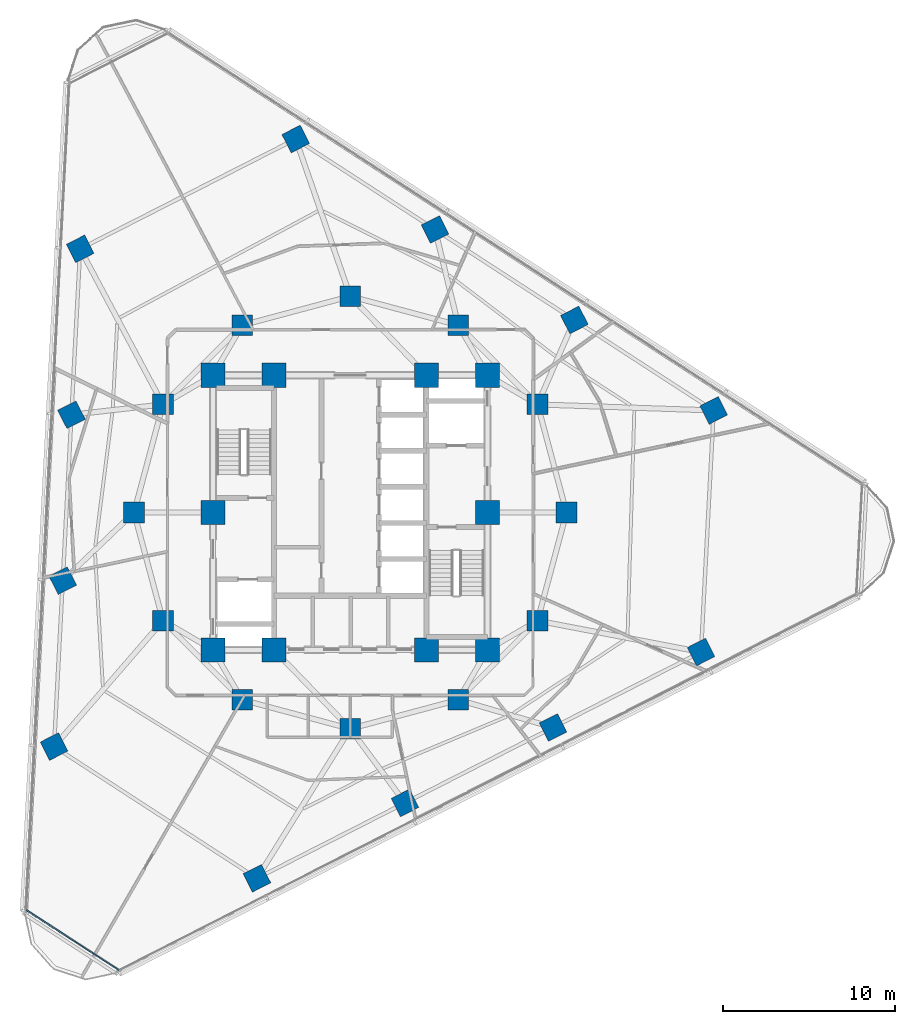
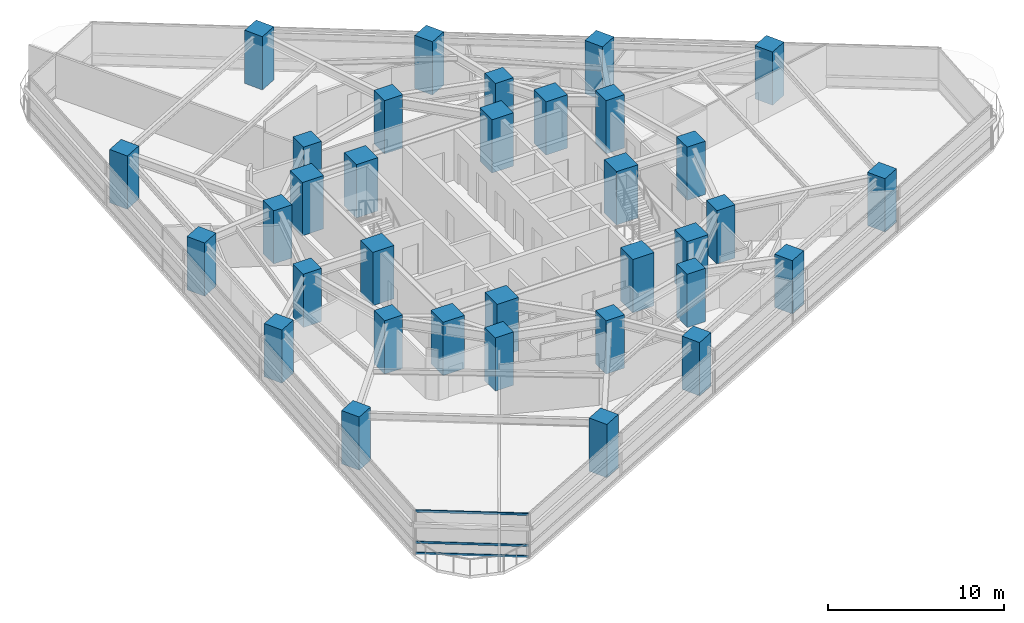
# One storey, part 1 of 14: 34 columns, 3 members, 1 element without a shape of its own.
"""IFC4 building model written with IfcOpenShell, lengths in metres."""

import ifcopenshell
import ifcopenshell.guid

model = None  # the IFC model being written
_history = None  # IfcOwnerHistory: only IFC2X3 demands one
_inside = {}  # id of a spatial element -> (the spatial element, [elements in it])
_under = {}  # id of a project, library or spatial element -> (it, [spatial elements below it])
_declared = {}  # id of a project -> (the project, [libraries it declares])
_typed = {}  # id of a type object -> (the type object, [elements of that type])
_made_of = {}  # id of a material, layer set ... -> (it, [elements and type objects made of it])


def new_model(schema):
    """Start an empty IFC model of exactly this schema.

    Asked for "IFC4X3", IfcOpenShell would pick the latest addendum, in which some entities
    have other attributes; the version numbers below select the first issue.
    IFC2X3 requires an IfcOwnerHistory on every rooted entity: one is made here for all.
    """
    global model, _history
    if schema == "IFC4X3":
        model = ifcopenshell.file(schema_version=(4, 3, 0, 0))
    else:
        model = ifcopenshell.file(schema=schema)
    _inside.clear()
    _under.clear()
    _declared.clear()
    _typed.clear()
    _made_of.clear()
    _history = None
    if model.schema == "IFC2X3":
        org = make("IfcOrganization", Name="unknown")
        user = make(
            "IfcPersonAndOrganization",
            ThePerson=make("IfcPerson", FamilyName="unknown"),
            TheOrganization=org,
        )
        app = make(
            "IfcApplication",
            ApplicationDeveloper=org,
            Version="unknown",
            ApplicationFullName="unknown",
            ApplicationIdentifier="unknown",
        )
        _history = make(
            "IfcOwnerHistory",
            OwningUser=user,
            OwningApplication=app,
            ChangeAction="ADDED",
            CreationDate=0,
        )
    return model


def make(cls, **values):
    """One entity of the class cls with the attributes given. An attribute that is None is left unset."""
    return model.create_entity(
        cls, **{name: value for name, value in values.items() if value is not None}
    )


def rooted(cls, **values):
    """An entity with a GlobalId (a new one), such as an element, a storey or a relation."""
    return make(cls, GlobalId=ifcopenshell.guid.new(), OwnerHistory=_history, **values)


def si_unit(unit_type, name, prefix=None):
    """IfcSIUnit, for example si_unit("LENGTHUNIT", "METRE", prefix="MILLI")."""
    return make("IfcSIUnit", UnitType=unit_type, Prefix=prefix, Name=name)


def assignment(units):
    """IfcUnitAssignment: the units of a project."""
    return None if units is None else make("IfcUnitAssignment", Units=units)


def point(xyz):
    """IfcCartesianPoint."""
    return None if xyz is None else make("IfcCartesianPoint", Coordinates=xyz)


def direction(xyz):
    """IfcDirection."""
    return None if xyz is None else make("IfcDirection", DirectionRatios=xyz)


def frame(location, z_axis=None, x_axis=None):
    """IfcAxis2Placement3D, a coordinate frame: its origin and axes. An axis left out is left unset."""
    return make(
        "IfcAxis2Placement3D",
        Location=point(location),
        Axis=direction(z_axis),
        RefDirection=direction(x_axis),
    )


def frame_2d(location, x_axis=None):
    """IfcAxis2Placement2D, a coordinate frame in the plane: its origin and x axis."""
    return make(
        "IfcAxis2Placement2D", Location=point(location), RefDirection=direction(x_axis)
    )


def origin():
    """The frame at (0, 0, 0) with its axes left unset."""
    return frame((0.0, 0.0, 0.0))


def origin_2d():
    """The frame at (0, 0) in the plane with its x axis left unset."""
    return frame_2d((0.0, 0.0))


def place(relative_to, where):
    """IfcLocalPlacement: puts the frame where relative to a parent placement (None: the world)."""
    return make(
        "IfcLocalPlacement", PlacementRelTo=relative_to, RelativePlacement=where
    )


def context(
    kind, dimensions, precision=None, world=None, true_north=None, identifier=None
):
    """IfcGeometricRepresentationContext, for example the 3D "Model" context."""
    return make(
        "IfcGeometricRepresentationContext",
        ContextIdentifier=identifier,
        ContextType=kind,
        CoordinateSpaceDimension=dimensions,
        Precision=precision,
        WorldCoordinateSystem=world,
        TrueNorth=true_north,
    )


def subcontext(parent, identifier, kind, view, scale=None):
    """IfcGeometricRepresentationSubContext, for example "Body" below "Model"."""
    return make(
        "IfcGeometricRepresentationSubContext",
        ContextIdentifier=identifier,
        ContextType=kind,
        ParentContext=parent,
        TargetScale=scale,
        TargetView=view,
    )


def project(units=None, contexts=None):
    """IfcProject with its units and contexts."""
    return rooted(
        "IfcProject",
        Name="project",
        RepresentationContexts=contexts,
        UnitsInContext=assignment(units),
    )


def spatial(cls, under=None, at=None, **own):
    """A site, building, storey or space (cls), placed at a placement, below another one or the project."""
    s = rooted(cls, ObjectPlacement=at, **own)
    if under is not None:
        _under.setdefault(under.id(), (under, []))[1].append(s)
    return s


def profile(cls, at=None, kind="AREA", **sizes):
    """A parametric profile (cls). Its sizes go by their IFC names, for example OverallWidth=200.0."""
    return make(cls, ProfileType=kind, Position=at, **sizes)


def rectangle(**sizes):
    """IfcRectangleProfileDef."""
    return profile("IfcRectangleProfileDef", **sizes)


def extrude(swept, where, along, depth):
    """IfcExtrudedAreaSolid: the profile swept, set in the frame where, extruded along a direction by depth."""
    return make(
        "IfcExtrudedAreaSolid",
        SweptArea=swept,
        Position=where,
        ExtrudedDirection=direction(along),
        Depth=depth,
    )


def shape(context_of_items, identifier, shape_type, items):
    """IfcShapeRepresentation: the items that make up one representation, for example the "Body"."""
    return make(
        "IfcShapeRepresentation",
        ContextOfItems=context_of_items,
        RepresentationIdentifier=identifier,
        RepresentationType=shape_type,
        Items=items,
    )


def material(Name=None, Category=None):
    """IfcMaterial."""
    return make("IfcMaterial", Name=Name, Category=Category)


def layer(
    of_material, thickness, ventilated=None, Name=None, Category=None, Priority=None
):
    """IfcMaterialLayer: one layer of a wall or slab, of a material (None: an air gap)."""
    return make(
        "IfcMaterialLayer",
        Material=of_material,
        LayerThickness=thickness,
        IsVentilated=ventilated,
        Name=Name,
        Category=Category,
        Priority=Priority,
    )


def layer_set(layers, Name=None):
    """IfcMaterialLayerSet."""
    return make("IfcMaterialLayerSet", MaterialLayers=layers, LayerSetName=Name)


def material_profile(
    of_material, cross_section, Name=None, Category=None, Priority=None
):
    """IfcMaterialProfile: a cross section and its material."""
    return make(
        "IfcMaterialProfile",
        Name=Name,
        Material=of_material,
        Profile=cross_section,
        Priority=Priority,
        Category=Category,
    )


def profile_set(profiles, Name=None, composite=None):
    """IfcMaterialProfileSet."""
    return make(
        "IfcMaterialProfileSet",
        Name=Name,
        MaterialProfiles=profiles,
        CompositeProfile=composite,
    )


def made_of(thing, what):
    """Note that an element or type object is made of a material, layer set ...; save() writes the relation."""
    if what is not None:
        _made_of.setdefault(what.id(), (what, []))[1].append(thing)
    return thing


def type_object(cls, material=None, **own):
    """A type object (cls), such as IfcWallType, which elements share."""
    return made_of(rooted(cls, **own), material)


def element(
    cls,
    number,
    at=None,
    inside=None,
    cuts=None,
    type_object=None,
    material=None,
    context=None,
    identifier="Body",
    shape_type=None,
    held_by="IfcProductDefinitionShape",
    body=None,
    shapes=None,
    **own,
):
    """One element of the class cls, such as IfcWall. Its Tag is "e" and its number.

    at: its placement. inside: the storey or other place that contains it. cuts: it is an
    opening in that element (IfcRelVoidsElement). A single representation is given by context,
    identifier, shape_type and body (its items); several are given by shapes. held_by: the class
    of the entity that holds the representations. save() writes the other relations.
    """
    e = rooted(cls, Tag="e%d" % number, ObjectPlacement=at, **own)
    if body is not None:
        shapes = [shape(context, identifier, shape_type, body)]
    if shapes is not None:
        e.Representation = make(held_by, Representations=shapes)
    if inside is not None:
        _inside.setdefault(inside.id(), (inside, []))[1].append(e)
    if cuts is not None:
        rooted(
            "IfcRelVoidsElement", RelatingBuildingElement=cuts, RelatedOpeningElement=e
        )
    if type_object is not None:
        _typed.setdefault(type_object.id(), (type_object, []))[1].append(e)
    return made_of(e, material)


def aggregate(whole, parts):
    """IfcRelAggregates: a whole, such as a stair, and the parts it consists of."""
    return rooted("IfcRelAggregates", RelatingObject=whole, RelatedObjects=parts)


def save(model, path):
    """Write the relations noted so far, then the file.

    IfcRelAggregates (storeys below a building ...), IfcRelContainedInSpatialStructure (elements
    in a storey), IfcRelDefinesByType, IfcRelAssociatesMaterial and IfcRelDeclares: one each for
    every whole, place, type object, material and project.
    """
    for whole, parts in _under.values():
        aggregate(whole, parts)
    for where, things in _inside.values():
        rooted(
            "IfcRelContainedInSpatialStructure",
            RelatedElements=things,
            RelatingStructure=where,
        )
    for kind, things in _typed.values():
        rooted("IfcRelDefinesByType", RelatedObjects=things, RelatingType=kind)
    for what, things in _made_of.values():
        rooted("IfcRelAssociatesMaterial", RelatedObjects=things, RelatingMaterial=what)
    for by, libraries in _declared.values():
        rooted("IfcRelDeclares", RelatingContext=by, RelatedDefinitions=libraries)
    model.write(path)


model = new_model("IFC4")

# Units and contexts
model_context = context("Model", 3, precision=1e-05, world=origin(), true_north=direction((0.0, 1.0)))
body_context = subcontext(model_context, "Body", "Model", "MODEL_VIEW")
ifc_project = project(units=[si_unit("LENGTHUNIT", "METRE"), si_unit("AREAUNIT", "SQUARE_METRE"), si_unit("VOLUMEUNIT", "CUBIC_METRE"), si_unit("PLANEANGLEUNIT", "RADIAN"), si_unit("MASSUNIT", "GRAM", prefix="KILO")], contexts=[model_context])

# Site, building, storey
site_placement = place(None, origin())
site = spatial("IfcSite", under=ifc_project, at=site_placement, CompositionType="ELEMENT")
building_placement = place(site_placement, origin())
building = spatial("IfcBuilding", under=site, at=building_placement, Name="Terralouvre Media Tower", CompositionType="ELEMENT")
storey_placement = place(building_placement, frame((0.0, 0.0, 142.10009765625)))
storey = spatial("IfcBuildingStorey", under=building, at=storey_placement, Name="L36", CompositionType="ELEMENT", Elevation=142.10009765625)

# Columns
ifc_material_1 = material(Name="Concrete C60/75", Category="concrete")
ifc_material_profile_1 = material_profile(ifc_material_1, rectangle(XDim=1.199951171875, YDim=1.199951171875, at=origin_2d()), Name="RC 1200x1200")
ifc_profile_set_1 = profile_set([ifc_material_profile_1], Name="Concrete C60/75")
column_type_1 = type_object("IfcColumnType", Name="Structural Column C-RC1200 (RC 1200x1200)", PredefinedType="COLUMN", material=ifc_profile_set_1)
for number, where, z_axis, x_axis, name in (
    (1, (12.60009765625, 0.0, 0.0), (0.0, 0.0, 1.0), (1.0, 0.0, 0.0), "L36 Mega-Frame Column MC01"),
    (2, (10.911865234375, 6.300048828125, 0.0), (0.0, 0.0, 1.0), (1.0, 0.0, 0.0), "L36 Mega-Frame Column MC02"),
    (3, (6.300048828125, 10.911865234375, 0.0), (0.0, 0.0, 1.0), (1.0, 0.0, 0.0), "L36 Mega-Frame Column MC03"),
    (4, (0.0, 12.60009765625, 0.0), (0.0, 0.0, 1.0), (1.0, 0.0, 0.0), "L36 Mega-Frame Column MC04"),
    (5, (-6.300048828125, 10.911865234375, 0.0), (0.0, 0.0, 1.0), (1.0, 0.0, 0.0), "L36 Mega-Frame Column MC05"),
    (6, (-10.911865234375, 6.300048828125, 0.0), (0.0, 0.0, 1.0), (1.0, 0.0, 0.0), "L36 Mega-Frame Column MC06"),
    (7, (-12.60009765625, 0.0, 0.0), (0.0, 0.0, 1.0), (1.0, 0.0, 0.0), "L36 Mega-Frame Column MC07"),
    (8, (-10.911865234375, -6.300048828125, 0.0), (0.0, 0.0, 1.0), (1.0, 0.0, 0.0), "L36 Mega-Frame Column MC08"),
    (9, (-6.300048828125, -10.911865234375, 0.0), (0.0, 0.0, 1.0), (1.0, 0.0, 0.0), "L36 Mega-Frame Column MC09"),
    (10, (0.0, -12.60009765625, 0.0), (0.0, 0.0, 1.0), (1.0, 0.0, 0.0), "L36 Mega-Frame Column MC10"),
    (11, (6.300048828125, -10.911865234375, 0.0), (0.0, 0.0, 1.0), (1.0, 0.0, 0.0), "L36 Mega-Frame Column MC11"),
    (12, (10.911865234375, -6.300048828125, 0.0), (0.0, 0.0, 1.0), (1.0, 0.0, 0.0), "L36 Mega-Frame Column MC12"),
    (13, (-5.4365234375, -21.31298828125, 0.0), (0.0, 0.0, 1.0), (0.891006524188, 0.45399049974, 0.0), "L36 Perimeter Mega-Column PC11"),
    (14, (3.188232421875, -16.91845703125, 0.0), (0.0, 0.0, 1.0), (0.891006524188, 0.45399049974, 0.0), "L36 Perimeter Mega-Column PC12"),
    (15, (11.813232421875, -12.523681640625, 0.0), (0.0, 0.0, 1.0), (0.891006524188, 0.45399049974, 0.0), "L36 Perimeter Mega-Column PC13"),
    (16, (20.438232421875, -8.129150390625, 0.0), (0.0, 0.0, 1.0), (0.891006524188, 0.45399049974, 0.0), "L36 Perimeter Mega-Column PC14"),
    (17, (21.176025390625, 5.9482421875, 0.0), (0.0, 0.0, 1.0), (0.891006524188, 0.45399049974, 0.0), "L36 Perimeter Mega-Column PC21"),
    (18, (13.0576171875, 11.220458984375, 0.0), (0.0, 0.0, 1.0), (0.891006524188, 0.45399049974, 0.0), "L36 Perimeter Mega-Column PC22"),
    (19, (4.939208984375, 16.492431640625, 0.0), (0.0, 0.0, 1.0), (0.891006524188, 0.45399049974, 0.0), "L36 Perimeter Mega-Column PC23"),
    (20, (-3.178955078125, 21.7646484375, 0.0), (0.0, 0.0, 1.0), (0.891006524188, 0.45399049974, 0.0), "L36 Perimeter Mega-Column PC24"),
    (21, (-15.7392578125, 15.36474609375, 0.0), (0.0, 0.0, 1.0), (0.891006524188, 0.45399049974, 0.0), "L36 Perimeter Mega-Column PC31"),
    (22, (-16.245849609375, 5.697998046875, 0.0), (0.0, 0.0, 1.0), (0.891006524188, 0.45399049974, 0.0), "L36 Perimeter Mega-Column PC32"),
    (23, (-16.75244140625, -3.96875, 0.0), (0.0, 0.0, 1.0), (0.891006524188, 0.45399049974, 0.0), "L36 Perimeter Mega-Column PC33"),
    (24, (-17.259033203125, -13.635498046875, 0.0), (0.0, 0.0, 1.0), (0.891006524188, 0.45399049974, 0.0), "L36 Perimeter Mega-Column PC34"),
):
    element("IfcColumn", number, at=place(storey_placement, frame(where, z_axis=z_axis, x_axis=x_axis)), inside=storey, type_object=column_type_1, Name=name, PredefinedType="COLUMN", context=body_context, shape_type="SweptSolid", body=[
        extrude(rectangle(XDim=1.199951171875, YDim=1.199951171875, at=origin_2d()), origin(), (0.0, 0.0, 1.0), 3.699951171875),
    ])
ifc_material_2 = material(Name="Concrete C60/75", Category="concrete")
ifc_material_profile_2 = material_profile(ifc_material_2, rectangle(XDim=1.39990234375, YDim=1.39990234375, at=origin_2d()), Name="RC 1400x1400")
ifc_profile_set_2 = profile_set([ifc_material_profile_2], Name="Concrete C60/75")
column_type_2 = type_object("IfcColumnType", Name="Structural Column C-RC1400 (RC 1400x1400)", PredefinedType="COLUMN", material=ifc_profile_set_2)
for number, where, z_axis, x_axis, name in (
    (25, (-8.0, -8.0, 0.0), (0.0, 0.0, 1.0), (1.0, 0.0, 0.0), "L36 Core Pilaster Column CP1"),
    (26, (-4.449951171875, -8.0, 0.0), (0.0, 0.0, 1.0), (1.0, 0.0, 0.0), "L36 Core Pilaster Column CP2"),
    (27, (4.449951171875, -8.0, 0.0), (0.0, 0.0, 1.0), (1.0, 0.0, 0.0), "L36 Core Pilaster Column CP10"),
    (28, (8.0, -8.0, 0.0), (0.0, 0.0, 1.0), (1.0, 0.0, 0.0), "L36 Core Pilaster Column CP3"),
    (29, (8.0, 0.0, 0.0), (0.0, 0.0, 1.0), (1.0, 0.0, 0.0), "L36 Core Pilaster Column CP4"),
    (30, (8.0, 8.0, 0.0), (0.0, 0.0, 1.0), (1.0, 0.0, 0.0), "L36 Core Pilaster Column CP5"),
    (31, (4.449951171875, 8.0, 0.0), (0.0, 0.0, 1.0), (1.0, 0.0, 0.0), "L36 Core Pilaster Column CP9"),
    (32, (-4.449951171875, 8.0, 0.0), (0.0, 0.0, 1.0), (1.0, 0.0, 0.0), "L36 Core Pilaster Column CP6"),
    (33, (-8.0, 8.0, 0.0), (0.0, 0.0, 1.0), (1.0, 0.0, 0.0), "L36 Core Pilaster Column CP7"),
    (34, (-8.0, 0.0, 0.0), (0.0, 0.0, 1.0), (1.0, 0.0, 0.0), "L36 Core Pilaster Column CP8"),
):
    element("IfcColumn", number, at=place(storey_placement, frame(where, z_axis=z_axis, x_axis=x_axis)), inside=storey, type_object=column_type_2, Name=name, PredefinedType="COLUMN", context=body_context, shape_type="SweptSolid", body=[
        extrude(rectangle(XDim=1.39990234375, YDim=1.39990234375, at=origin_2d()), origin(), (0.0, 0.0, 1.0), 3.699951171875),
    ])

# Curtain wall, members
ifc_material_3 = material(Name="Low-iron laminated double glazing with solar-control coating", Category="glass")
ifc_layer = layer(ifc_material_3, 0.1650390625, Name="Rounded Wind-Corner Curved Glazing CW-04")
ifc_layer_set = layer_set([ifc_layer], Name="Low-iron laminated double glazing with solar-control coating")
curtain_wall_type = type_object("IfcCurtainWallType", Name="Rounded Wind-Corner Curved Glazing CW-04", PredefinedType="NOTDEFINED", material=ifc_layer_set)
curtain_wall_placement = place(storey_placement, origin())
curtain_wall = element("IfcCurtainWall", 35, at=curtain_wall_placement, inside=storey, type_object=curtain_wall_type, Name="L36 Rounded Wind-Corner Curtain Wall C0", PredefinedType="NOTDEFINED")
ifc_material_4 = material(Name="Anodised extruded aluminium 6063-T6", Category="aluminium")
ifc_material_profile_3 = material_profile(ifc_material_4, rectangle(XDim=0.074951171875, YDim=0.14990234375, at=origin_2d()), Name="ALU 75x150")
ifc_profile_set_3 = profile_set([ifc_material_profile_3], Name="Anodised extruded aluminium 6063-T6")
member_type = type_object("IfcMemberType", Name="Curtain-Wall Horizontal Transom TR-150", PredefinedType="USERDEFINED", material=ifc_profile_set_3)
member_1_placement = place(storey_placement, frame((-18.875, -23.16015625, 0.037353515625), z_axis=(0.838682024338, -0.544621393311, 0.0), x_axis=(0.544621393311, 0.838682024338, 0.0)))
member_1 = element("IfcMember", 36, at=member_1_placement, type_object=member_type, Name="CW-04 transom 1.1", ObjectType="TRANSOM", PredefinedType="USERDEFINED", context=body_context, shape_type="SweptSolid", body=[
    extrude(rectangle(XDim=0.074951171875, YDim=0.14990234375, at=origin_2d()), origin(), (0.0, 0.0, 1.0), 6.431884765625),
])
member_2_placement = place(storey_placement, frame((-18.875, -23.16015625, 0.7998046875), z_axis=(0.838682024338, -0.544621393311, 0.0), x_axis=(0.544621393311, 0.838682024338, 0.0)))
member_2 = element("IfcMember", 37, at=member_2_placement, type_object=member_type, Name="CW-04 transom 1.2", ObjectType="TRANSOM", PredefinedType="USERDEFINED", context=body_context, shape_type="SweptSolid", body=[
    extrude(rectangle(XDim=0.074951171875, YDim=0.14990234375, at=origin_2d()), origin(), (0.0, 0.0, 1.0), 6.431884765625),
])
member_3_placement = place(storey_placement, frame((-18.875, -23.16015625, 2.96240234375), z_axis=(0.838682024338, -0.544621393311, 0.0), x_axis=(0.544621393311, 0.838682024338, 0.0)))
member_3 = element("IfcMember", 38, at=member_3_placement, type_object=member_type, Name="CW-04 transom 1.3", ObjectType="TRANSOM", PredefinedType="USERDEFINED", context=body_context, shape_type="SweptSolid", body=[
    extrude(rectangle(XDim=0.074951171875, YDim=0.14990234375, at=origin_2d()), origin(), (0.0, 0.0, 1.0), 6.431884765625),
])
aggregate(curtain_wall, [member_1, member_2, member_3])

save(model, "model.ifc")
